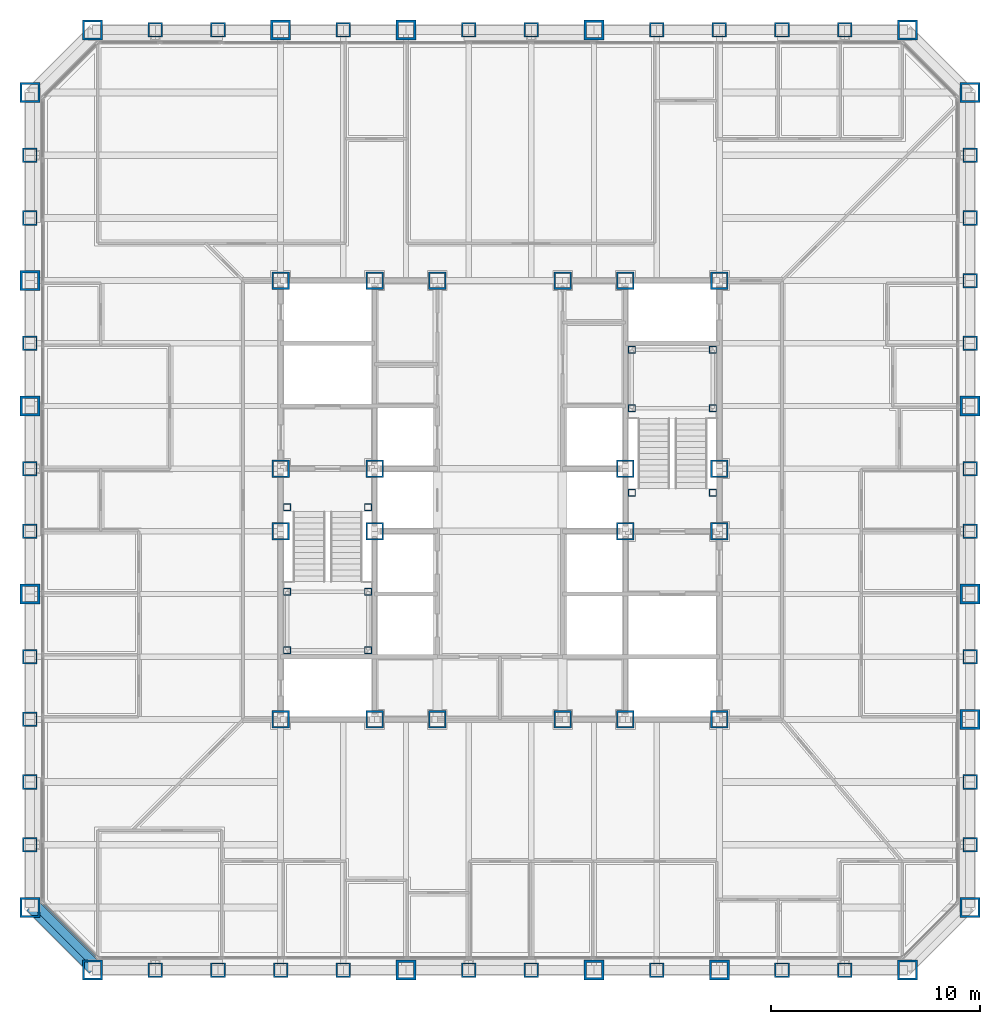
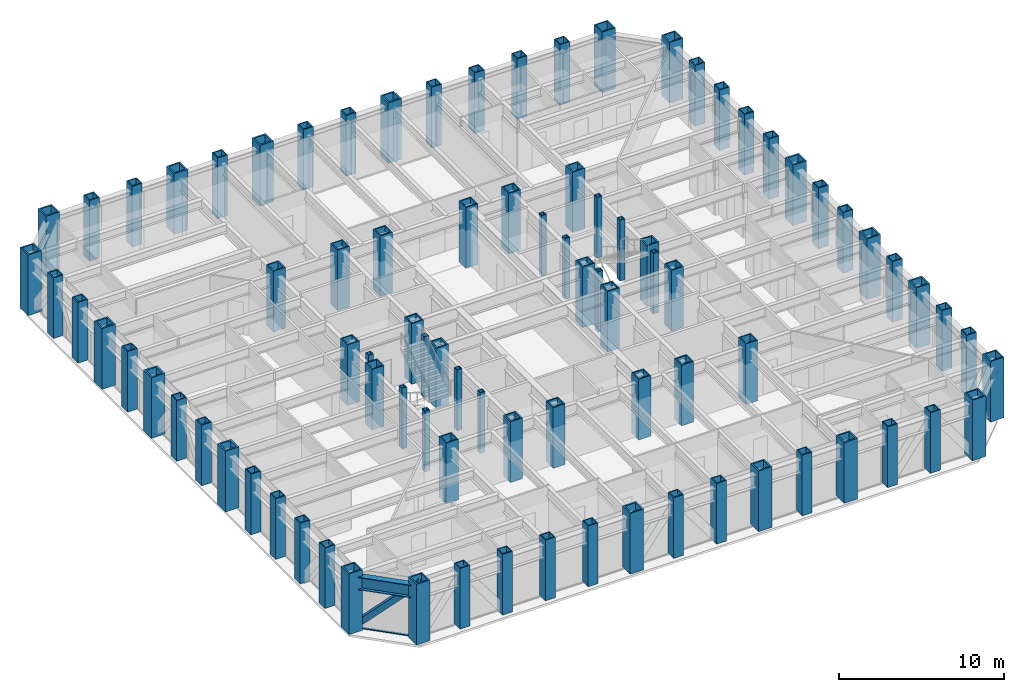
# One storey, part 1 of 16: 88 columns, 2 members, 1 beam, 1 element without a shape of its own.
"""IFC4 building model written with IfcOpenShell, lengths in metres."""

from ifc_helpers import new_model, si_unit, direction, frame, origin, origin_2d, place, context, subcontext, project, spatial, rectangle, hollow_rectangle, i_section, extrude, material, layer, layer_set, material_profile, profile_set, type_object, element, aggregate, save


model = new_model("IFC4")

# Units and contexts
model_context = context("Model", 3, precision=1e-05, world=origin(), true_north=direction((0.0, 1.0)))
body_context = subcontext(model_context, "Body", "Model", "MODEL_VIEW")
ifc_project = project(units=[si_unit("LENGTHUNIT", "METRE"), si_unit("AREAUNIT", "SQUARE_METRE"), si_unit("VOLUMEUNIT", "CUBIC_METRE"), si_unit("PLANEANGLEUNIT", "RADIAN"), si_unit("MASSUNIT", "GRAM", prefix="KILO")], contexts=[model_context])

# Site, building, storey
site_placement = place(None, origin())
site = spatial("IfcSite", under=ifc_project, at=site_placement, CompositionType="ELEMENT")
building_placement = place(site_placement, origin())
building = spatial("IfcBuilding", under=site, at=building_placement, Name="Chuquiago Exchange Tower", CompositionType="ELEMENT")
storey_placement = place(building_placement, frame((0.0, 0.0, 33.300048828125)))
storey = spatial("IfcBuildingStorey", under=building, at=storey_placement, Name="L06", CompositionType="ELEMENT", Elevation=33.300048828125)

# Columns
ifc_material_1 = material(Name="Steel ASTM A572 Grade 50", Category="steel")
ifc_material_profile_1 = material_profile(ifc_material_1, hollow_rectangle(XDim=0.699951171875, YDim=0.699951171875, WallThickness=0.070068359375, at=origin_2d()), Name="BOX700X700X70")
ifc_profile_set_1 = profile_set([ifc_material_profile_1], Name="Steel ASTM A572 Grade 50")
column_type_1 = type_object("IfcColumnType", Name="C2 BOX700X700X70", PredefinedType="COLUMN", material=ifc_profile_set_1)
for number, where, z_axis, x_axis, name in (
    (1, (6.0, 0.0, 0.0), (0.0, 0.0, 1.0), (0.0, -1.0, 0.0), "COL-L06-6_0"),
    (2, (9.0, 0.0, 0.0), (0.0, 0.0, 1.0), (0.0, -1.0, 0.0), "COL-L06-9_0"),
    (3, (12.0, 0.0, 0.0), (0.0, 0.0, 1.0), (0.0, -1.0, 0.0), "COL-L06-12_0"),
    (4, (15.0, 0.0, 0.0), (0.0, 0.0, 1.0), (0.0, -1.0, 0.0), "COL-L06-15_0"),
    (5, (21.0, 0.0, 0.0), (0.0, 0.0, 1.0), (0.0, -1.0, 0.0), "COL-L06-21_0"),
    (6, (24.0, 0.0, 0.0), (0.0, 0.0, 1.0), (0.0, -1.0, 0.0), "COL-L06-24_0"),
    (7, (30.0, 0.0, 0.0), (0.0, 0.0, 1.0), (0.0, -1.0, 0.0), "COL-L06-30_0"),
    (8, (36.0, 0.0, 0.0), (0.0, 0.0, 1.0), (0.0, -1.0, 0.0), "COL-L06-36_0"),
    (9, (39.0, 0.0, 0.0), (0.0, 0.0, 1.0), (0.0, -1.0, 0.0), "COL-L06-39_0"),
    (10, (45.0, 6.0, 0.0), (0.0, 0.0, 1.0), (1.0, 0.0, 0.0), "COL-L06-45_6"),
    (11, (45.0, 9.0, 0.0), (0.0, 0.0, 1.0), (1.0, 0.0, 0.0), "COL-L06-45_9"),
    (12, (45.0, 15.0, 0.0), (0.0, 0.0, 1.0), (1.0, 0.0, 0.0), "COL-L06-45_15"),
    (13, (45.0, 21.0, 0.0), (0.0, 0.0, 1.0), (1.0, 0.0, 0.0), "COL-L06-45_21"),
    (14, (45.0, 24.0, 0.0), (0.0, 0.0, 1.0), (1.0, 0.0, 0.0), "COL-L06-45_24"),
    (15, (45.0, 30.0, 0.0), (0.0, 0.0, 1.0), (1.0, 0.0, 0.0), "COL-L06-45_30"),
    (16, (45.0, 33.0, 0.0), (0.0, 0.0, 1.0), (1.0, 0.0, 0.0), "COL-L06-45_33"),
    (17, (45.0, 36.0, 0.0), (0.0, 0.0, 1.0), (1.0, 0.0, 0.0), "COL-L06-45_36"),
    (18, (45.0, 39.0, 0.0), (0.0, 0.0, 1.0), (1.0, 0.0, 0.0), "COL-L06-45_39"),
    (19, (39.0, 45.0, 0.0), (0.0, 0.0, 1.0), (0.0, 1.0, 0.0), "COL-L06-39_45"),
    (20, (36.0, 45.0, 0.0), (0.0, 0.0, 1.0), (0.0, 1.0, 0.0), "COL-L06-36_45"),
    (21, (33.0, 45.0, 0.0), (0.0, 0.0, 1.0), (0.0, 1.0, 0.0), "COL-L06-33_45"),
    (22, (30.0, 45.0, 0.0), (0.0, 0.0, 1.0), (0.0, 1.0, 0.0), "COL-L06-30_45"),
    (23, (24.0, 45.0, 0.0), (0.0, 0.0, 1.0), (0.0, 1.0, 0.0), "COL-L06-24_45"),
    (24, (21.0, 45.0, 0.0), (0.0, 0.0, 1.0), (0.0, 1.0, 0.0), "COL-L06-21_45"),
    (25, (15.0, 45.0, 0.0), (0.0, 0.0, 1.0), (0.0, 1.0, 0.0), "COL-L06-15_45"),
    (26, (9.0, 45.0, 0.0), (0.0, 0.0, 1.0), (0.0, 1.0, 0.0), "COL-L06-9_45"),
    (27, (6.0, 45.0, 0.0), (0.0, 0.0, 1.0), (0.0, 1.0, 0.0), "COL-L06-6_45"),
    (28, (0.0, 39.0, 0.0), (0.0, 0.0, 1.0), (-1.0, 0.0, 0.0), "COL-L06-0_39"),
    (29, (0.0, 36.0, 0.0), (0.0, 0.0, 1.0), (-1.0, 0.0, 0.0), "COL-L06-0_36"),
    (30, (0.0, 30.0, 0.0), (0.0, 0.0, 1.0), (-1.0, 0.0, 0.0), "COL-L06-0_30"),
    (31, (0.0, 24.0, 0.0), (0.0, 0.0, 1.0), (-1.0, 0.0, 0.0), "COL-L06-0_24"),
    (32, (0.0, 21.0, 0.0), (0.0, 0.0, 1.0), (-1.0, 0.0, 0.0), "COL-L06-0_21"),
    (33, (0.0, 15.0, 0.0), (0.0, 0.0, 1.0), (-1.0, 0.0, 0.0), "COL-L06-0_15"),
    (34, (0.0, 12.0, 0.0), (0.0, 0.0, 1.0), (-1.0, 0.0, 0.0), "COL-L06-0_12"),
    (35, (0.0, 9.0, 0.0), (0.0, 0.0, 1.0), (-1.0, 0.0, 0.0), "COL-L06-0_9"),
    (36, (0.0, 6.0, 0.0), (0.0, 0.0, 1.0), (-1.0, 0.0, 0.0), "COL-L06-0_6"),
):
    element("IfcColumn", number, at=place(storey_placement, frame(where, z_axis=z_axis, x_axis=x_axis)), inside=storey, type_object=column_type_1, Name=name, PredefinedType="COLUMN", context=body_context, shape_type="SweptSolid", body=[
        extrude(hollow_rectangle(XDim=0.699951171875, YDim=0.699951171875, WallThickness=0.070068359375, at=origin_2d()), origin(), (0.0, 0.0, 1.0), 4.5),
    ])
ifc_material_2 = material(Name="Steel ASTM A572 Grade 50", Category="steel")
ifc_material_profile_2 = material_profile(ifc_material_2, hollow_rectangle(XDim=0.85009765625, YDim=0.85009765625, WallThickness=0.0849609375, at=origin_2d()), Name="BOX850X850X85")
ifc_profile_set_2 = profile_set([ifc_material_profile_2], Name="Steel ASTM A572 Grade 50")
column_type_2 = type_object("IfcColumnType", Name="CC2 BOX850X850X85", PredefinedType="COLUMN", material=ifc_profile_set_2)
for number, where, z_axis, x_axis, name in (
    (37, (16.5, 12.0, 0.0), (0.0, 0.0, 1.0), (1.0, 0.0, 0.0), "CCOL-L06-16.5_12"),
    (38, (19.5, 12.0, 0.0), (0.0, 0.0, 1.0), (1.0, 0.0, 0.0), "CCOL-L06-19.5_12"),
    (39, (25.5, 12.0, 0.0), (0.0, 0.0, 1.0), (1.0, 0.0, 0.0), "CCOL-L06-25.5_12"),
    (40, (28.5, 12.0, 0.0), (0.0, 0.0, 1.0), (1.0, 0.0, 0.0), "CCOL-L06-28.5_12"),
    (41, (16.5, 33.0, 0.0), (0.0, 0.0, 1.0), (1.0, 0.0, 0.0), "CCOL-L06-16.5_33"),
    (42, (19.5, 33.0, 0.0), (0.0, 0.0, 1.0), (1.0, 0.0, 0.0), "CCOL-L06-19.5_33"),
    (43, (25.5, 33.0, 0.0), (0.0, 0.0, 1.0), (1.0, 0.0, 0.0), "CCOL-L06-25.5_33"),
    (44, (28.5, 33.0, 0.0), (0.0, 0.0, 1.0), (1.0, 0.0, 0.0), "CCOL-L06-28.5_33"),
    (45, (12.0, 21.0, 0.0), (0.0, 0.0, 1.0), (1.0, 0.0, 0.0), "CCOL-L06-12_21"),
    (46, (12.0, 24.0, 0.0), (0.0, 0.0, 1.0), (1.0, 0.0, 0.0), "CCOL-L06-12_24"),
    (47, (33.0, 21.0, 0.0), (0.0, 0.0, 1.0), (1.0, 0.0, 0.0), "CCOL-L06-33_21"),
    (48, (33.0, 24.0, 0.0), (0.0, 0.0, 1.0), (1.0, 0.0, 0.0), "CCOL-L06-33_24"),
    (49, (16.5, 21.0, 0.0), (0.0, 0.0, 1.0), (1.0, 0.0, 0.0), "CCOL-L06-16.5_21"),
    (50, (16.5, 24.0, 0.0), (0.0, 0.0, 1.0), (1.0, 0.0, 0.0), "CCOL-L06-16.5_24"),
    (51, (28.5, 21.0, 0.0), (0.0, 0.0, 1.0), (1.0, 0.0, 0.0), "CCOL-L06-28.5_21"),
    (52, (28.5, 24.0, 0.0), (0.0, 0.0, 1.0), (1.0, 0.0, 0.0), "CCOL-L06-28.5_24"),
):
    element("IfcColumn", number, at=place(storey_placement, frame(where, z_axis=z_axis, x_axis=x_axis)), inside=storey, type_object=column_type_2, Name=name, PredefinedType="COLUMN", context=body_context, shape_type="SweptSolid", body=[
        extrude(hollow_rectangle(XDim=0.85009765625, YDim=0.85009765625, WallThickness=0.0849609375, at=origin_2d()), origin(), (0.0, 0.0, 1.0), 4.5),
    ])
ifc_material_3 = material(Name="Steel ASTM A572 Grade 50", Category="steel")
ifc_material_profile_3 = material_profile(ifc_material_3, hollow_rectangle(XDim=0.85009765625, YDim=0.85009765625, WallThickness=0.0849609375, at=origin_2d()), Name="BOX850X850X85")
ifc_profile_set_3 = profile_set([ifc_material_profile_3], Name="Steel ASTM A572 Grade 50")
column_type_3 = type_object("IfcColumnType", Name="CC6 BOX850X850X85", PredefinedType="COLUMN", material=ifc_profile_set_3)
for number, where, z_axis, x_axis, name in (
    (53, (12.0, 12.0, 0.0), (0.0, 0.0, 1.0), (1.0, 0.0, 0.0), "CCOL-L06-12_12"),
    (54, (33.0, 12.0, 0.0), (0.0, 0.0, 1.0), (1.0, 0.0, 0.0), "CCOL-L06-33_12"),
    (55, (12.0, 33.0, 0.0), (0.0, 0.0, 1.0), (1.0, 0.0, 0.0), "CCOL-L06-12_33"),
    (56, (33.0, 33.0, 0.0), (0.0, 0.0, 1.0), (1.0, 0.0, 0.0), "CCOL-L06-33_33"),
):
    element("IfcColumn", number, at=place(storey_placement, frame(where, z_axis=z_axis, x_axis=x_axis)), inside=storey, type_object=column_type_3, Name=name, PredefinedType="COLUMN", context=body_context, shape_type="SweptSolid", body=[
        extrude(hollow_rectangle(XDim=0.85009765625, YDim=0.85009765625, WallThickness=0.0849609375, at=origin_2d()), origin(), (0.0, 0.0, 1.0), 4.5),
    ])
ifc_material_4 = material(Name="Steel ASTM A572 Grade 50", Category="steel")
ifc_material_profile_4 = material_profile(ifc_material_4, hollow_rectangle(XDim=0.949951171875, YDim=0.949951171875, WallThickness=0.094970703125, at=origin_2d()), Name="BOX950X950X95")
ifc_profile_set_4 = profile_set([ifc_material_profile_4], Name="Steel ASTM A572 Grade 50")
column_type_4 = type_object("IfcColumnType", Name="CN1 BOX950X950X95", PredefinedType="COLUMN", material=ifc_profile_set_4)
for number, where, z_axis, x_axis, name in (
    (57, (3.0, 0.0, 0.0), (0.0, 0.0, 1.0), (0.0, -1.0, 0.0), "COL-L06-3_0"),
    (58, (42.0, 0.0, 0.0), (0.0, 0.0, 1.0), (0.0, -1.0, 0.0), "COL-L06-42_0"),
    (59, (45.0, 3.0, 0.0), (0.0, 0.0, 1.0), (1.0, 0.0, 0.0), "COL-L06-45_3"),
    (60, (45.0, 42.0, 0.0), (0.0, 0.0, 1.0), (1.0, 0.0, 0.0), "COL-L06-45_42"),
    (61, (42.0, 45.0, 0.0), (0.0, 0.0, 1.0), (0.0, 1.0, 0.0), "COL-L06-42_45"),
    (62, (3.0, 45.0, 0.0), (0.0, 0.0, 1.0), (0.0, 1.0, 0.0), "COL-L06-3_45"),
    (63, (0.0, 42.0, 0.0), (0.0, 0.0, 1.0), (-1.0, 0.0, 0.0), "COL-L06-0_42"),
    (64, (0.0, 3.0, 0.0), (0.0, 0.0, 1.0), (-1.0, 0.0, 0.0), "COL-L06-0_3"),
):
    element("IfcColumn", number, at=place(storey_placement, frame(where, z_axis=z_axis, x_axis=x_axis)), inside=storey, type_object=column_type_4, Name=name, PredefinedType="COLUMN", context=body_context, shape_type="SweptSolid", body=[
        extrude(hollow_rectangle(XDim=0.949951171875, YDim=0.949951171875, WallThickness=0.094970703125, at=origin_2d()), origin(), (0.0, 0.0, 1.0), 4.5),
    ])
ifc_material_5 = material(Name="Steel ASTM A572 Grade 42", Category="steel")
ifc_material_profile_5 = material_profile(ifc_material_5, hollow_rectangle(XDim=0.949951171875, YDim=0.949951171875, WallThickness=0.110107421875, at=origin_2d()), Name="BOX950X950X110")
ifc_profile_set_5 = profile_set([ifc_material_profile_5], Name="Steel ASTM A572 Grade 42")
column_type_5 = type_object("IfcColumnType", Name="CT1 BOX950X950X110", PredefinedType="COLUMN", material=ifc_profile_set_5)
for number, where, z_axis, x_axis, name in (
    (65, (18.0, 0.0, 0.0), (0.0, 0.0, 1.0), (0.0, -1.0, 0.0), "COL-L06-18_0"),
    (66, (27.0, 0.0, 0.0), (0.0, 0.0, 1.0), (0.0, -1.0, 0.0), "COL-L06-27_0"),
    (67, (33.0, 0.0, 0.0), (0.0, 0.0, 1.0), (0.0, -1.0, 0.0), "COL-L06-33_0"),
    (68, (45.0, 12.0, 0.0), (0.0, 0.0, 1.0), (1.0, 0.0, 0.0), "COL-L06-45_12"),
    (69, (45.0, 18.0, 0.0), (0.0, 0.0, 1.0), (1.0, 0.0, 0.0), "COL-L06-45_18"),
    (70, (45.0, 27.0, 0.0), (0.0, 0.0, 1.0), (1.0, 0.0, 0.0), "COL-L06-45_27"),
    (71, (27.0, 45.0, 0.0), (0.0, 0.0, 1.0), (0.0, 1.0, 0.0), "COL-L06-27_45"),
    (72, (18.0, 45.0, 0.0), (0.0, 0.0, 1.0), (0.0, 1.0, 0.0), "COL-L06-18_45"),
    (73, (12.0, 45.0, 0.0), (0.0, 0.0, 1.0), (0.0, 1.0, 0.0), "COL-L06-12_45"),
    (74, (0.0, 33.0, 0.0), (0.0, 0.0, 1.0), (-1.0, 0.0, 0.0), "COL-L06-0_33"),
    (75, (0.0, 27.0, 0.0), (0.0, 0.0, 1.0), (-1.0, 0.0, 0.0), "COL-L06-0_27"),
    (76, (0.0, 18.0, 0.0), (0.0, 0.0, 1.0), (-1.0, 0.0, 0.0), "COL-L06-0_18"),
):
    element("IfcColumn", number, at=place(storey_placement, frame(where, z_axis=z_axis, x_axis=x_axis)), inside=storey, type_object=column_type_5, Name=name, PredefinedType="COLUMN", context=body_context, shape_type="SweptSolid", body=[
        extrude(hollow_rectangle(XDim=0.949951171875, YDim=0.949951171875, WallThickness=0.110107421875, at=origin_2d()), origin(), (0.0, 0.0, 1.0), 4.5),
    ])
ifc_material_6 = material(Name="Steel ASTM A572 Grade 50", Category="steel")
ifc_material_profile_6 = material_profile(ifc_material_6, hollow_rectangle(XDim=0.35009765625, YDim=0.35009765625, WallThickness=0.034912109375, at=origin_2d()), Name="BOX350X350X35")
ifc_profile_set_6 = profile_set([ifc_material_profile_6], Name="Steel ASTM A572 Grade 50")
column_type_6 = type_object("IfcColumnType", Name="PT3 BOX350X350X35", PredefinedType="COLUMN", material=ifc_profile_set_6)
for number, where, z_axis, x_axis, name in (
    (77, (12.31005859375, 15.31005859375, 0.0), (0.0, 0.0, 1.0), (1.0, 0.0, 0.0), "Stair ST1 L06 landing post"),
    (78, (16.18994140625, 15.31005859375, 0.0), (0.0, 0.0, 1.0), (1.0, 0.0, 0.0), "Stair ST1 L06 landing post"),
    (79, (12.31005859375, 18.110107421875, 0.0), (0.0, 0.0, 1.0), (1.0, 0.0, 0.0), "Stair ST1 L06 landing post"),
    (80, (16.18994140625, 18.110107421875, 0.0), (0.0, 0.0, 1.0), (1.0, 0.0, 0.0), "Stair ST1 L06 landing post"),
    (81, (12.31005859375, 22.14990234375, 0.0), (0.0, 0.0, 1.0), (1.0, 0.0, 0.0), "Stair ST1 L06 landing post"),
    (82, (16.18994140625, 22.14990234375, 0.0), (0.0, 0.0, 1.0), (1.0, 0.0, 0.0), "Stair ST1 L06 landing post"),
    (83, (28.81005859375, 29.68994140625, 0.0), (0.0, 0.0, 1.0), (1.0, 0.0, 0.0), "Stair ST2 L06 landing post"),
    (84, (32.68994140625, 29.68994140625, 0.0), (0.0, 0.0, 1.0), (1.0, 0.0, 0.0), "Stair ST2 L06 landing post"),
    (85, (28.81005859375, 26.889892578125, 0.0), (0.0, 0.0, 1.0), (1.0, 0.0, 0.0), "Stair ST2 L06 landing post"),
    (86, (32.68994140625, 26.889892578125, 0.0), (0.0, 0.0, 1.0), (1.0, 0.0, 0.0), "Stair ST2 L06 landing post"),
    (87, (28.81005859375, 22.85009765625, 0.0), (0.0, 0.0, 1.0), (1.0, 0.0, 0.0), "Stair ST2 L06 landing post"),
    (88, (32.68994140625, 22.85009765625, 0.0), (0.0, 0.0, 1.0), (1.0, 0.0, 0.0), "Stair ST2 L06 landing post"),
):
    element("IfcColumn", number, at=place(storey_placement, frame(where, z_axis=z_axis, x_axis=x_axis)), inside=storey, type_object=column_type_6, Name=name, PredefinedType="COLUMN", context=body_context, shape_type="SweptSolid", body=[
        extrude(hollow_rectangle(XDim=0.35009765625, YDim=0.35009765625, WallThickness=0.034912109375, at=origin_2d()), origin(), (0.0, 0.0, 1.0), 4.5),
    ])

# Curtain wall, member
ifc_material_7 = material(Name="Aluminium curtain wall system", Category="aluminium")
ifc_layer = layer(ifc_material_7, 0.199951171875)
ifc_layer_set = layer_set([ifc_layer], Name="CW3 facet curtain wall")
curtain_wall_type = type_object("IfcCurtainWallType", Name="CW3 facet curtain wall", PredefinedType="NOTDEFINED", material=ifc_layer_set)
curtain_wall_placement = place(storey_placement, origin())
curtain_wall = element("IfcCurtainWall", 89, at=curtain_wall_placement, inside=storey, type_object=curtain_wall_type, Name="CW3 curtain wall L06", PredefinedType="NOTDEFINED")
ifc_material_8 = material(Name="Aluminium transom, pale anodised", Category="aluminium")
ifc_material_profile_7 = material_profile(ifc_material_8, rectangle(XDim=0.139892578125, YDim=0.06494140625, at=origin_2d()), Name="AL 140x65")
ifc_profile_set_7 = profile_set([ifc_material_profile_7], Name="Aluminium transom, pale anodised")
member_type_1 = type_object("IfcMemberType", Name="CW3-T transom 65x140", PredefinedType="MULLION", material=ifc_profile_set_7)
member_1_placement = place(storey_placement, frame((0.64599609375, 3.20263671875, -0.267578125), z_axis=(0.707106781187, -0.707106781187, 0.0), x_axis=(0.707106781187, 0.707106781187, 0.0)))
member_1 = element("IfcMember", 90, at=member_1_placement, type_object=member_type_1, Name="CW3 transom 1.1", PredefinedType="MULLION", context=body_context, shape_type="SweptSolid", body=[
    extrude(rectangle(XDim=0.139892578125, YDim=0.06494140625, at=origin_2d()), origin(), (0.0, 0.0, 1.0), 3.61572265625),
])
aggregate(curtain_wall, [member_1])

# Member
ifc_material_9 = material(Name="Steel ASTM A500 Grade C", Category="steel")
ifc_material_profile_8 = material_profile(ifc_material_9, hollow_rectangle(XDim=0.406494140625, YDim=0.406494140625, WallThickness=0.0146484375, at=origin_2d()), Name="HSS16X16X5/8")
ifc_profile_set_8 = profile_set([ifc_material_profile_8], Name="Steel ASTM A500 Grade C")
member_type_2 = type_object("IfcMemberType", Name="LB4 HSS16X16X5/8", PredefinedType="BRACE", material=ifc_profile_set_8)
member_2_placement = place(storey_placement, frame((0.21337890625, 3.21337890625, 0.0), z_axis=(0.512077265487, -0.512077265487, 0.689604051861), x_axis=(0.707106781187, 0.707106781187, 0.0)))
element("IfcMember", 91, at=member_2_placement, inside=storey, type_object=member_type_2, Name="LB-L06-0_3-3_0", PredefinedType="BRACE", context=body_context, shape_type="SweptSolid", body=[
    extrude(hollow_rectangle(XDim=0.406494140625, YDim=0.406494140625, WallThickness=0.0146484375, at=origin_2d()), origin(), (0.0, 0.0, 1.0), 5.8583984375),
])

# Beam
ifc_material_10 = material(Name="Steel ASTM A992", Category="steel")
ifc_material_profile_9 = material_profile(ifc_material_10, i_section(OverallWidth=0.424072265625, OverallDepth=0.947509765625, WebThickness=0.02392578125, FlangeThickness=0.042724609375, at=origin_2d()), Name="W36X302")
ifc_profile_set_9 = profile_set([ifc_material_profile_9], Name="Steel ASTM A992")
beam_type = type_object("IfcBeamType", Name="SP1 W36X302", PredefinedType="SPANDREL", material=ifc_profile_set_9)
beam_placement = place(storey_placement, frame((0.0, 3.0, 3.566162109375), z_axis=(0.707106781187, -0.707106781187, 0.0), x_axis=(0.707106781187, 0.707106781187, 0.0)))
element("IfcBeam", 92, at=beam_placement, inside=storey, type_object=beam_type, Name="SPB-L07-0_3-3_0", PredefinedType="SPANDREL", context=body_context, shape_type="SweptSolid", body=[
    extrude(i_section(OverallWidth=0.424072265625, OverallDepth=0.947509765625, WebThickness=0.02392578125, FlangeThickness=0.042724609375, at=origin_2d()), origin(), (0.0, 0.0, 1.0), 4.24267578125),
])

save(model, "model.ifc")
